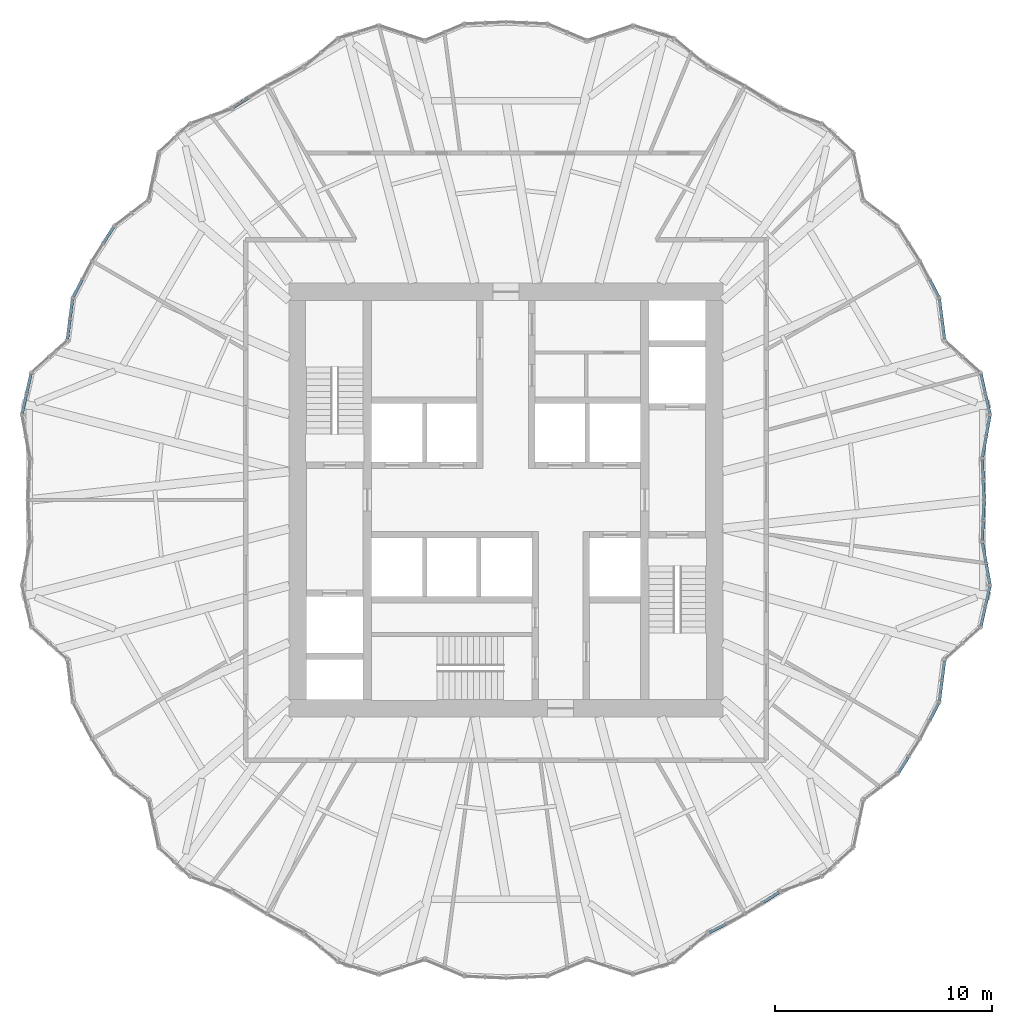
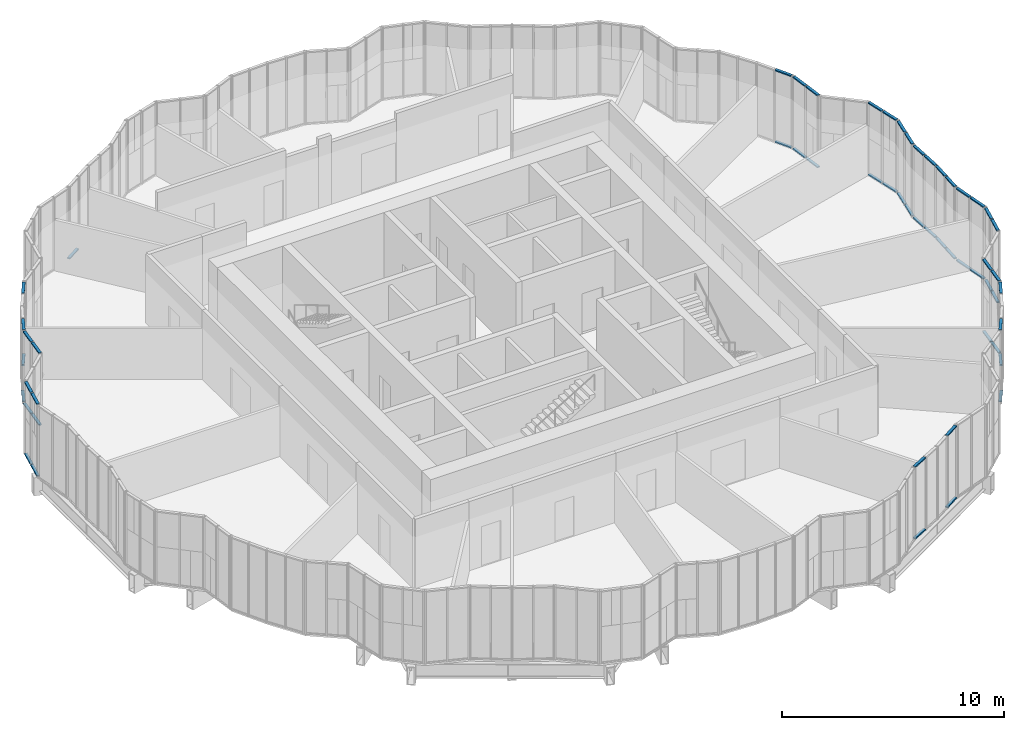
# One storey, part 11 of 23: 55 members, 18 elements without a shape of their own.
"""IFC4 building model written with IfcOpenShell, lengths in metres."""

from ifc_helpers import new_model, si_unit, direction, frame, origin, origin_2d, place, context, subcontext, project, spatial, rectangle, extrude, material, material_profile, profile_set, type_object, element, aggregate, save


model = new_model("IFC4")

# Units and contexts
model_context = context("Model", 3, precision=1e-05, world=origin(), true_north=direction((0.0, 1.0)))
body_context = subcontext(model_context, "Body", "Model", "MODEL_VIEW")
ifc_project = project(units=[si_unit("LENGTHUNIT", "METRE"), si_unit("AREAUNIT", "SQUARE_METRE"), si_unit("VOLUMEUNIT", "CUBIC_METRE"), si_unit("PLANEANGLEUNIT", "RADIAN"), si_unit("MASSUNIT", "GRAM", prefix="KILO")], contexts=[model_context])

# Site, building, storey
site_placement = place(None, origin())
site = spatial("IfcSite", under=ifc_project, at=site_placement, CompositionType="ELEMENT")
building_placement = place(site_placement, origin())
building = spatial("IfcBuilding", under=site, at=building_placement, Name="Golbaran Civic Tower", CompositionType="ELEMENT")
storey_placement = place(building_placement, frame((0.0, 0.0, 33.0)))
storey = spatial("IfcBuildingStorey", under=building, at=storey_placement, Name="L07", CompositionType="ELEMENT", Elevation=33.0)

# Curtain wall, members
ifc_material_1 = material(Name="Aluminium and glass", Category="aluminium")
curtain_wall_type = type_object("IfcCurtainWallType", Name="INNER SKIN CURTAIN WALL", PredefinedType="NOTDEFINED", material=ifc_material_1)
curtain_wall_1_placement = place(storey_placement, origin())
curtain_wall_1 = element("IfcCurtainWall", 1, at=curtain_wall_1_placement, inside=storey, type_object=curtain_wall_type, Name="Inner skin L07 facet 1 CW1", ObjectType="INNER SKIN", PredefinedType="USERDEFINED")
ifc_material_2 = material(Name="Aluminium", Category="aluminium")
ifc_material_profile = material_profile(ifc_material_2, rectangle(XDim=0.139892578125, YDim=0.06494140625, at=origin_2d()), Name="INNER SKIN CURTAIN WALL TRANSOM")
ifc_profile_set = profile_set([ifc_material_profile], Name="Aluminium")
member_type = type_object("IfcMemberType", Name="INNER SKIN CURTAIN WALL TRANSOM", PredefinedType="USERDEFINED", material=ifc_profile_set)
member_1_placement = place(storey_placement, frame((22.043701171875, 0.032470703125, 0.032470703125), z_axis=(-0.043838979607, 0.999038609798, 0.0), x_axis=(-0.999038609798, -0.043838979607, 0.0)))
member_1 = element("IfcMember", 2, at=member_1_placement, type_object=member_type, Name="CW1 transom 1.1", ObjectType="TRANSOM", PredefinedType="USERDEFINED", context=body_context, shape_type="SweptSolid", body=[
    extrude(rectangle(XDim=0.139892578125, YDim=0.06494140625, at=origin_2d()), origin(), (0.0, 0.0, 1.0), 0.896728515625),
])
member_2_placement = place(storey_placement, frame((22.043701171875, 0.032470703125, 3.967529296875), z_axis=(-0.043838979607, 0.999038609798, 0.0), x_axis=(-0.999038609798, -0.043838979607, 0.0)))
member_2 = element("IfcMember", 3, at=member_2_placement, type_object=member_type, Name="CW1 transom 1.2", ObjectType="TRANSOM", PredefinedType="USERDEFINED", context=body_context, shape_type="SweptSolid", body=[
    extrude(rectangle(XDim=0.139892578125, YDim=0.06494140625, at=origin_2d()), origin(), (0.0, 0.0, 1.0), 0.896728515625),
])
member_3_placement = place(storey_placement, frame((22.001708984375, 0.9931640625, 0.032470703125), z_axis=(-0.043792788045, 0.999040635668, 0.0), x_axis=(-0.999040635668, -0.043792788045, 0.0)))
member_3 = element("IfcMember", 4, at=member_3_placement, type_object=member_type, Name="CW1 transom 2.1", ObjectType="TRANSOM", PredefinedType="USERDEFINED", context=body_context, shape_type="SweptSolid", body=[
    extrude(rectangle(XDim=0.139892578125, YDim=0.06494140625, at=origin_2d()), origin(), (0.0, 0.0, 1.0), 0.864013671875),
])
member_4_placement = place(storey_placement, frame((22.001708984375, 0.9931640625, 3.967529296875), z_axis=(-0.043792788045, 0.999040635668, 0.0), x_axis=(-0.999040635668, -0.043792788045, 0.0)))
member_4 = element("IfcMember", 5, at=member_4_placement, type_object=member_type, Name="CW1 transom 2.2", ObjectType="TRANSOM", PredefinedType="USERDEFINED", context=body_context, shape_type="SweptSolid", body=[
    extrude(rectangle(XDim=0.139892578125, YDim=0.06494140625, at=origin_2d()), origin(), (0.0, 0.0, 1.0), 0.864013671875),
])
aggregate(curtain_wall_1, [member_1, member_2, member_3, member_4])

curtain_wall_2_placement = place(storey_placement, origin())
curtain_wall_2 = element("IfcCurtainWall", 6, at=curtain_wall_2_placement, inside=storey, type_object=curtain_wall_type, Name="Inner skin L07 facet 2 CW1", ObjectType="INNER SKIN", PredefinedType="USERDEFINED")
member_5_placement = place(storey_placement, frame((21.972412109375, 1.9853515625, 0.032470703125), z_axis=(0.175936706241, 0.984401480798, 0.0), x_axis=(-0.984401480798, 0.175936706241, 0.0)))
member_5 = element("IfcMember", 7, at=member_5_placement, type_object=member_type, Name="CW1 transom 1.1", ObjectType="TRANSOM", PredefinedType="USERDEFINED", context=body_context, shape_type="SweptSolid", body=[
    extrude(rectangle(XDim=0.139892578125, YDim=0.06494140625, at=origin_2d()), origin(), (0.0, 0.0, 1.0), 0.925537109375),
])
member_6_placement = place(storey_placement, frame((21.972412109375, 1.9853515625, 3.967529296875), z_axis=(0.175936706241, 0.984401480798, 0.0), x_axis=(-0.984401480798, 0.175936706241, 0.0)))
member_6 = element("IfcMember", 8, at=member_6_placement, type_object=member_type, Name="CW1 transom 1.2", ObjectType="TRANSOM", PredefinedType="USERDEFINED", context=body_context, shape_type="SweptSolid", body=[
    extrude(rectangle(XDim=0.139892578125, YDim=0.06494140625, at=origin_2d()), origin(), (0.0, 0.0, 1.0), 0.925537109375),
])
member_7_placement = place(storey_placement, frame((22.146484375, 2.96044921875, 0.032470703125), z_axis=(0.175891034414, 0.984409642381, 0.0), x_axis=(-0.984409642381, 0.175891034414, 0.0)))
member_7 = element("IfcMember", 9, at=member_7_placement, type_object=member_type, Name="CW1 transom 2.1", ObjectType="TRANSOM", PredefinedType="USERDEFINED", context=body_context, shape_type="SweptSolid", body=[
    extrude(rectangle(XDim=0.139892578125, YDim=0.06494140625, at=origin_2d()), origin(), (0.0, 0.0, 1.0), 0.92578125),
])
member_8_placement = place(storey_placement, frame((22.146484375, 2.96044921875, 3.967529296875), z_axis=(0.175891034414, 0.984409642381, 0.0), x_axis=(-0.984409642381, 0.175891034414, 0.0)))
member_8 = element("IfcMember", 10, at=member_8_placement, type_object=member_type, Name="CW1 transom 2.2", ObjectType="TRANSOM", PredefinedType="USERDEFINED", context=body_context, shape_type="SweptSolid", body=[
    extrude(rectangle(XDim=0.139892578125, YDim=0.06494140625, at=origin_2d()), origin(), (0.0, 0.0, 1.0), 0.92578125),
])
aggregate(curtain_wall_2, [member_5, member_6, member_7, member_8])

curtain_wall_3_placement = place(storey_placement, origin())
curtain_wall_3 = element("IfcCurtainWall", 11, at=curtain_wall_3_placement, inside=storey, type_object=curtain_wall_type, Name="Inner skin L07 facet 3 CW1", ObjectType="INNER SKIN", PredefinedType="USERDEFINED")
member_9_placement = place(storey_placement, frame((22.306640625, 3.999267578125, 0.032470703125), z_axis=(-0.216466231693, 0.976290105725, 0.0), x_axis=(-0.976290105725, -0.216466231693, 0.0)))
member_9 = element("IfcMember", 12, at=member_9_placement, type_object=member_type, Name="CW1 transom 1.1", ObjectType="TRANSOM", PredefinedType="USERDEFINED", context=body_context, shape_type="SweptSolid", body=[
    extrude(rectangle(XDim=0.139892578125, YDim=0.06494140625, at=origin_2d()), origin(), (0.0, 0.0, 1.0), 0.89111328125),
])
member_10_placement = place(storey_placement, frame((22.306640625, 3.999267578125, 3.967529296875), z_axis=(-0.216466231693, 0.976290105725, 0.0), x_axis=(-0.976290105725, -0.216466231693, 0.0)))
member_10 = element("IfcMember", 13, at=member_10_placement, type_object=member_type, Name="CW1 transom 1.2", ObjectType="TRANSOM", PredefinedType="USERDEFINED", context=body_context, shape_type="SweptSolid", body=[
    extrude(rectangle(XDim=0.139892578125, YDim=0.06494140625, at=origin_2d()), origin(), (0.0, 0.0, 1.0), 0.89111328125),
])
member_11_placement = place(storey_placement, frame((22.099609375, 4.9326171875, 0.032470703125), z_axis=(-0.21640833966, 0.976302939935, 0.0), x_axis=(-0.976302939935, -0.21640833966, 0.0)))
member_11 = element("IfcMember", 14, at=member_11_placement, type_object=member_type, Name="CW1 transom 2.1", ObjectType="TRANSOM", PredefinedType="USERDEFINED", context=body_context, shape_type="SweptSolid", body=[
    extrude(rectangle(XDim=0.139892578125, YDim=0.06494140625, at=origin_2d()), origin(), (0.0, 0.0, 1.0), 0.891357421875),
])
member_12_placement = place(storey_placement, frame((22.099609375, 4.9326171875, 3.967529296875), z_axis=(-0.21640833966, 0.976302939935, 0.0), x_axis=(-0.976302939935, -0.21640833966, 0.0)))
member_12 = element("IfcMember", 15, at=member_12_placement, type_object=member_type, Name="CW1 transom 2.2", ObjectType="TRANSOM", PredefinedType="USERDEFINED", context=body_context, shape_type="SweptSolid", body=[
    extrude(rectangle(XDim=0.139892578125, YDim=0.06494140625, at=origin_2d()), origin(), (0.0, 0.0, 1.0), 0.891357421875),
])
aggregate(curtain_wall_3, [member_9, member_10, member_11, member_12])

curtain_wall_4_placement = place(storey_placement, origin())
curtain_wall_4 = element("IfcCurtainWall", 16, at=curtain_wall_4_placement, inside=storey, type_object=curtain_wall_type, Name="Inner skin L07 facet 5 CW1", ObjectType="INNER SKIN", PredefinedType="USERDEFINED")
member_13_placement = place(storey_placement, frame((20.2197265625, 7.4267578125, 0.032470703125), z_axis=(-0.126269045709, 0.991996032298, 0.0), x_axis=(-0.991996032298, -0.126269045709, 0.0)))
member_13 = element("IfcMember", 17, at=member_13_placement, type_object=member_type, Name="CW1 transom 1.1", ObjectType="TRANSOM", PredefinedType="USERDEFINED", context=body_context, shape_type="SweptSolid", body=[
    extrude(rectangle(XDim=0.139892578125, YDim=0.06494140625, at=origin_2d()), origin(), (0.0, 0.0, 1.0), 0.887451171875),
])
member_14_placement = place(storey_placement, frame((20.2197265625, 7.4267578125, 3.967529296875), z_axis=(-0.126269045709, 0.991996032298, 0.0), x_axis=(-0.991996032298, -0.126269045709, 0.0)))
member_14 = element("IfcMember", 18, at=member_14_placement, type_object=member_type, Name="CW1 transom 1.2", ObjectType="TRANSOM", PredefinedType="USERDEFINED", context=body_context, shape_type="SweptSolid", body=[
    extrude(rectangle(XDim=0.139892578125, YDim=0.06494140625, at=origin_2d()), origin(), (0.0, 0.0, 1.0), 0.887451171875),
])
member_15_placement = place(storey_placement, frame((20.099609375, 8.371826171875, 0.032470703125), z_axis=(-0.125998321747, 0.992030454632, 0.0), x_axis=(-0.992030454632, -0.125998321747, 0.0)))
member_15 = element("IfcMember", 19, at=member_15_placement, type_object=member_type, Name="CW1 transom 2.1", ObjectType="TRANSOM", PredefinedType="USERDEFINED", context=body_context, shape_type="SweptSolid", body=[
    extrude(rectangle(XDim=0.139892578125, YDim=0.06494140625, at=origin_2d()), origin(), (0.0, 0.0, 1.0), 0.887451171875),
])
member_16_placement = place(storey_placement, frame((20.099609375, 8.371826171875, 3.967529296875), z_axis=(-0.125998321747, 0.992030454632, 0.0), x_axis=(-0.992030454632, -0.125998321747, 0.0)))
member_16 = element("IfcMember", 20, at=member_16_placement, type_object=member_type, Name="CW1 transom 2.2", ObjectType="TRANSOM", PredefinedType="USERDEFINED", context=body_context, shape_type="SweptSolid", body=[
    extrude(rectangle(XDim=0.139892578125, YDim=0.06494140625, at=origin_2d()), origin(), (0.0, 0.0, 1.0), 0.887451171875),
])
aggregate(curtain_wall_4, [member_13, member_14, member_15, member_16])

curtain_wall_5_placement = place(storey_placement, origin())
curtain_wall_5 = element("IfcCurtainWall", 21, at=curtain_wall_5_placement, inside=storey, type_object=curtain_wall_type, Name="Inner skin L07 facet 6 CW1", ObjectType="INNER SKIN", PredefinedType="USERDEFINED")
member_17_placement = place(storey_placement, frame((19.949462890625, 9.374267578125, 0.032470703125), z_axis=(-0.461735279655, 0.887017774073, 0.0), x_axis=(-0.887017774073, -0.461735279655, 0.0)))
member_17 = element("IfcMember", 22, at=member_17_placement, type_object=member_type, Name="CW1 transom 1.1", ObjectType="TRANSOM", PredefinedType="USERDEFINED", context=body_context, shape_type="SweptSolid", body=[
    extrude(rectangle(XDim=0.139892578125, YDim=0.06494140625, at=origin_2d()), origin(), (0.0, 0.0, 1.0), 0.864013671875),
])
member_18_placement = place(storey_placement, frame((19.949462890625, 9.374267578125, 3.967529296875), z_axis=(-0.461735279655, 0.887017774073, 0.0), x_axis=(-0.887017774073, -0.461735279655, 0.0)))
member_18 = element("IfcMember", 23, at=member_18_placement, type_object=member_type, Name="CW1 transom 1.2", ObjectType="TRANSOM", PredefinedType="USERDEFINED", context=body_context, shape_type="SweptSolid", body=[
    extrude(rectangle(XDim=0.139892578125, YDim=0.06494140625, at=origin_2d()), origin(), (0.0, 0.0, 1.0), 0.864013671875),
])
aggregate(curtain_wall_5, [member_17, member_18])

# Curtain wall, member
curtain_wall_6_placement = place(storey_placement, origin())
curtain_wall_6 = element("IfcCurtainWall", 24, at=curtain_wall_6_placement, inside=storey, type_object=curtain_wall_type, Name="Inner skin L07 facet 25 CW1", ObjectType="INNER SKIN", PredefinedType="USERDEFINED")
member_19_placement = place(storey_placement, frame((-11.86083984375, 18.557373046875, 0.032470703125), z_axis=(-0.843347238251, -0.537368994021, 0.0), x_axis=(0.537368994021, -0.843347238251, 0.0)))
member_19 = element("IfcMember", 25, at=member_19_placement, type_object=member_type, Name="CW1 transom 2.1", ObjectType="TRANSOM", PredefinedType="USERDEFINED", context=body_context, shape_type="SweptSolid", body=[
    extrude(rectangle(XDim=0.139892578125, YDim=0.06494140625, at=origin_2d()), origin(), (0.0, 0.0, 1.0), 0.864013671875),
])
aggregate(curtain_wall_6, [member_19])

# Curtain wall, members
curtain_wall_7_placement = place(storey_placement, origin())
curtain_wall_7 = element("IfcCurtainWall", 26, at=curtain_wall_7_placement, inside=storey, type_object=curtain_wall_type, Name="Inner skin L07 facet 30 CW1", ObjectType="INNER SKIN", PredefinedType="USERDEFINED")
member_20_placement = place(storey_placement, frame((-18.093017578125, 12.589599609375, 0.032470703125), z_axis=(-0.537368994021, -0.843347238251, 0.0), x_axis=(0.843347238251, -0.537368994021, 0.0)))
member_20 = element("IfcMember", 27, at=member_20_placement, type_object=member_type, Name="CW1 transom 1.1", ObjectType="TRANSOM", PredefinedType="USERDEFINED", context=body_context, shape_type="SweptSolid", body=[
    extrude(rectangle(XDim=0.139892578125, YDim=0.06494140625, at=origin_2d()), origin(), (0.0, 0.0, 1.0), 0.864013671875),
])
member_21_placement = place(storey_placement, frame((-18.093017578125, 12.589599609375, 3.967529296875), z_axis=(-0.537368994021, -0.843347238251, 0.0), x_axis=(0.843347238251, -0.537368994021, 0.0)))
member_21 = element("IfcMember", 28, at=member_21_placement, type_object=member_type, Name="CW1 transom 1.2", ObjectType="TRANSOM", PredefinedType="USERDEFINED", context=body_context, shape_type="SweptSolid", body=[
    extrude(rectangle(XDim=0.139892578125, YDim=0.06494140625, at=origin_2d()), origin(), (0.0, 0.0, 1.0), 0.864013671875),
])
aggregate(curtain_wall_7, [member_20, member_21])

curtain_wall_8_placement = place(storey_placement, origin())
curtain_wall_8 = element("IfcCurtainWall", 29, at=curtain_wall_8_placement, inside=storey, type_object=curtain_wall_type, Name="Inner skin L07 facet 31 CW1", ObjectType="INNER SKIN", PredefinedType="USERDEFINED")
member_22_placement = place(storey_placement, frame((-19.550537109375, 10.140625, 0.032470703125), z_axis=(-0.461735279655, -0.887017774073, 0.0), x_axis=(0.887017774073, -0.461735279655, 0.0)))
member_22 = element("IfcMember", 30, at=member_22_placement, type_object=member_type, Name="CW1 transom 2.1", ObjectType="TRANSOM", PredefinedType="USERDEFINED", context=body_context, shape_type="SweptSolid", body=[
    extrude(rectangle(XDim=0.139892578125, YDim=0.06494140625, at=origin_2d()), origin(), (0.0, 0.0, 1.0), 0.864013671875),
])
member_23_placement = place(storey_placement, frame((-19.550537109375, 10.140625, 3.967529296875), z_axis=(-0.461735279655, -0.887017774073, 0.0), x_axis=(0.887017774073, -0.461735279655, 0.0)))
member_23 = element("IfcMember", 31, at=member_23_placement, type_object=member_type, Name="CW1 transom 2.2", ObjectType="TRANSOM", PredefinedType="USERDEFINED", context=body_context, shape_type="SweptSolid", body=[
    extrude(rectangle(XDim=0.139892578125, YDim=0.06494140625, at=origin_2d()), origin(), (0.0, 0.0, 1.0), 0.864013671875),
])
aggregate(curtain_wall_8, [member_22, member_23])

curtain_wall_9_placement = place(storey_placement, origin())
curtain_wall_9 = element("IfcCurtainWall", 32, at=curtain_wall_9_placement, inside=storey, type_object=curtain_wall_type, Name="Inner skin L07 facet 32 CW1", ObjectType="INNER SKIN", PredefinedType="USERDEFINED")
member_24_placement = place(storey_placement, frame((-19.98779296875, 9.252197265625, 0.032470703125), z_axis=(-0.125998321747, -0.992030454632, 0.0), x_axis=(0.992030454632, -0.125998321747, 0.0)))
member_24 = element("IfcMember", 33, at=member_24_placement, type_object=member_type, Name="CW1 transom 1.1", ObjectType="TRANSOM", PredefinedType="USERDEFINED", context=body_context, shape_type="SweptSolid", body=[
    extrude(rectangle(XDim=0.139892578125, YDim=0.06494140625, at=origin_2d()), origin(), (0.0, 0.0, 1.0), 0.887451171875),
])
member_25_placement = place(storey_placement, frame((-19.98779296875, 9.252197265625, 3.967529296875), z_axis=(-0.125998321747, -0.992030454632, 0.0), x_axis=(0.992030454632, -0.125998321747, 0.0)))
member_25 = element("IfcMember", 34, at=member_25_placement, type_object=member_type, Name="CW1 transom 1.2", ObjectType="TRANSOM", PredefinedType="USERDEFINED", context=body_context, shape_type="SweptSolid", body=[
    extrude(rectangle(XDim=0.139892578125, YDim=0.06494140625, at=origin_2d()), origin(), (0.0, 0.0, 1.0), 0.887451171875),
])
member_26_placement = place(storey_placement, frame((-20.107666015625, 8.30712890625, 0.032470703125), z_axis=(-0.126269045709, -0.991996032298, 0.0), x_axis=(0.991996032298, -0.126269045709, 0.0)))
member_26 = element("IfcMember", 35, at=member_26_placement, type_object=member_type, Name="CW1 transom 2.1", ObjectType="TRANSOM", PredefinedType="USERDEFINED", context=body_context, shape_type="SweptSolid", body=[
    extrude(rectangle(XDim=0.139892578125, YDim=0.06494140625, at=origin_2d()), origin(), (0.0, 0.0, 1.0), 0.887451171875),
])
member_27_placement = place(storey_placement, frame((-20.107666015625, 8.30712890625, 3.967529296875), z_axis=(-0.126269045709, -0.991996032298, 0.0), x_axis=(0.991996032298, -0.126269045709, 0.0)))
member_27 = element("IfcMember", 36, at=member_27_placement, type_object=member_type, Name="CW1 transom 2.2", ObjectType="TRANSOM", PredefinedType="USERDEFINED", context=body_context, shape_type="SweptSolid", body=[
    extrude(rectangle(XDim=0.139892578125, YDim=0.06494140625, at=origin_2d()), origin(), (0.0, 0.0, 1.0), 0.887451171875),
])
aggregate(curtain_wall_9, [member_24, member_25, member_26, member_27])

curtain_wall_10_placement = place(storey_placement, origin())
curtain_wall_10 = element("IfcCurtainWall", 37, at=curtain_wall_10_placement, inside=storey, type_object=curtain_wall_type, Name="Inner skin L07 facet 34 CW1", ObjectType="INNER SKIN", PredefinedType="USERDEFINED")
member_28_placement = place(storey_placement, frame((-21.90673828125, 5.802734375, 0.032470703125), z_axis=(-0.21640833966, -0.976302939935, 0.0), x_axis=(0.976302939935, -0.21640833966, 0.0)))
member_28 = element("IfcMember", 38, at=member_28_placement, type_object=member_type, Name="CW1 transom 1.1", ObjectType="TRANSOM", PredefinedType="USERDEFINED", context=body_context, shape_type="SweptSolid", body=[
    extrude(rectangle(XDim=0.139892578125, YDim=0.06494140625, at=origin_2d()), origin(), (0.0, 0.0, 1.0), 0.891357421875),
])
member_29_placement = place(storey_placement, frame((-21.90673828125, 5.802734375, 3.967529296875), z_axis=(-0.21640833966, -0.976302939935, 0.0), x_axis=(0.976302939935, -0.21640833966, 0.0)))
member_29 = element("IfcMember", 39, at=member_29_placement, type_object=member_type, Name="CW1 transom 1.2", ObjectType="TRANSOM", PredefinedType="USERDEFINED", context=body_context, shape_type="SweptSolid", body=[
    extrude(rectangle(XDim=0.139892578125, YDim=0.06494140625, at=origin_2d()), origin(), (0.0, 0.0, 1.0), 0.891357421875),
])
member_30_placement = place(storey_placement, frame((-22.11376953125, 4.869140625, 0.032470703125), z_axis=(-0.216466231693, -0.976290105725, 0.0), x_axis=(0.976290105725, -0.216466231693, 0.0)))
member_30 = element("IfcMember", 40, at=member_30_placement, type_object=member_type, Name="CW1 transom 2.1", ObjectType="TRANSOM", PredefinedType="USERDEFINED", context=body_context, shape_type="SweptSolid", body=[
    extrude(rectangle(XDim=0.139892578125, YDim=0.06494140625, at=origin_2d()), origin(), (0.0, 0.0, 1.0), 0.89111328125),
])
member_31_placement = place(storey_placement, frame((-22.11376953125, 4.869140625, 3.967529296875), z_axis=(-0.216466231693, -0.976290105725, 0.0), x_axis=(0.976290105725, -0.216466231693, 0.0)))
member_31 = element("IfcMember", 41, at=member_31_placement, type_object=member_type, Name="CW1 transom 2.2", ObjectType="TRANSOM", PredefinedType="USERDEFINED", context=body_context, shape_type="SweptSolid", body=[
    extrude(rectangle(XDim=0.139892578125, YDim=0.06494140625, at=origin_2d()), origin(), (0.0, 0.0, 1.0), 0.89111328125),
])
aggregate(curtain_wall_10, [member_28, member_29, member_30, member_31])

curtain_wall_11_placement = place(storey_placement, origin())
curtain_wall_11 = element("IfcCurtainWall", 42, at=curtain_wall_11_placement, inside=storey, type_object=curtain_wall_type, Name="Inner skin L07 facet 60 CW1", ObjectType="INNER SKIN", PredefinedType="USERDEFINED")
member_32_placement = place(storey_placement, frame((9.374267578125, -19.949462890625, 0.032470703125), z_axis=(0.887017774073, 0.461735279655, 0.0), x_axis=(-0.461735279655, 0.887017774073, 0.0)))
member_32 = element("IfcMember", 43, at=member_32_placement, type_object=member_type, Name="CW1 transom 1.1", ObjectType="TRANSOM", PredefinedType="USERDEFINED", context=body_context, shape_type="SweptSolid", body=[
    extrude(rectangle(XDim=0.139892578125, YDim=0.06494140625, at=origin_2d()), origin(), (0.0, 0.0, 1.0), 0.864013671875),
])
member_33_placement = place(storey_placement, frame((9.374267578125, -19.949462890625, 3.967529296875), z_axis=(0.887017774073, 0.461735279655, 0.0), x_axis=(-0.461735279655, 0.887017774073, 0.0)))
member_33 = element("IfcMember", 44, at=member_33_placement, type_object=member_type, Name="CW1 transom 1.2", ObjectType="TRANSOM", PredefinedType="USERDEFINED", context=body_context, shape_type="SweptSolid", body=[
    extrude(rectangle(XDim=0.139892578125, YDim=0.06494140625, at=origin_2d()), origin(), (0.0, 0.0, 1.0), 0.864013671875),
])
aggregate(curtain_wall_11, [member_32, member_33])

curtain_wall_12_placement = place(storey_placement, origin())
curtain_wall_12 = element("IfcCurtainWall", 45, at=curtain_wall_12_placement, inside=storey, type_object=curtain_wall_type, Name="Inner skin L07 facet 61 CW1", ObjectType="INNER SKIN", PredefinedType="USERDEFINED")
member_34_placement = place(storey_placement, frame((11.86083984375, -18.557373046875, 0.032470703125), z_axis=(0.843347238251, 0.537368994021, 0.0), x_axis=(-0.537368994021, 0.843347238251, 0.0)))
member_34 = element("IfcMember", 46, at=member_34_placement, type_object=member_type, Name="CW1 transom 2.1", ObjectType="TRANSOM", PredefinedType="USERDEFINED", context=body_context, shape_type="SweptSolid", body=[
    extrude(rectangle(XDim=0.139892578125, YDim=0.06494140625, at=origin_2d()), origin(), (0.0, 0.0, 1.0), 0.864013671875),
])
member_35_placement = place(storey_placement, frame((11.86083984375, -18.557373046875, 3.967529296875), z_axis=(0.843347238251, 0.537368994021, 0.0), x_axis=(-0.537368994021, 0.843347238251, 0.0)))
member_35 = element("IfcMember", 47, at=member_35_placement, type_object=member_type, Name="CW1 transom 2.2", ObjectType="TRANSOM", PredefinedType="USERDEFINED", context=body_context, shape_type="SweptSolid", body=[
    extrude(rectangle(XDim=0.139892578125, YDim=0.06494140625, at=origin_2d()), origin(), (0.0, 0.0, 1.0), 0.864013671875),
])
aggregate(curtain_wall_12, [member_34, member_35])

curtain_wall_13_placement = place(storey_placement, origin())
curtain_wall_13 = element("IfcCurtainWall", 48, at=curtain_wall_13_placement, inside=storey, type_object=curtain_wall_type, Name="Inner skin L07 facet 66 CW1", ObjectType="INNER SKIN", PredefinedType="USERDEFINED")
member_36_placement = place(storey_placement, frame((18.093017578125, -12.589599609375, 0.032470703125), z_axis=(0.537368994021, 0.843347238251, 0.0), x_axis=(-0.843347238251, 0.537368994021, 0.0)))
member_36 = element("IfcMember", 49, at=member_36_placement, type_object=member_type, Name="CW1 transom 1.1", ObjectType="TRANSOM", PredefinedType="USERDEFINED", context=body_context, shape_type="SweptSolid", body=[
    extrude(rectangle(XDim=0.139892578125, YDim=0.06494140625, at=origin_2d()), origin(), (0.0, 0.0, 1.0), 0.864013671875),
])
member_37_placement = place(storey_placement, frame((18.093017578125, -12.589599609375, 3.967529296875), z_axis=(0.537368994021, 0.843347238251, 0.0), x_axis=(-0.843347238251, 0.537368994021, 0.0)))
member_37 = element("IfcMember", 50, at=member_37_placement, type_object=member_type, Name="CW1 transom 1.2", ObjectType="TRANSOM", PredefinedType="USERDEFINED", context=body_context, shape_type="SweptSolid", body=[
    extrude(rectangle(XDim=0.139892578125, YDim=0.06494140625, at=origin_2d()), origin(), (0.0, 0.0, 1.0), 0.864013671875),
])
aggregate(curtain_wall_13, [member_36, member_37])

curtain_wall_14_placement = place(storey_placement, origin())
curtain_wall_14 = element("IfcCurtainWall", 51, at=curtain_wall_14_placement, inside=storey, type_object=curtain_wall_type, Name="Inner skin L07 facet 67 CW1", ObjectType="INNER SKIN", PredefinedType="USERDEFINED")
member_38_placement = place(storey_placement, frame((19.550537109375, -10.140625, 0.032470703125), z_axis=(0.461735279655, 0.887017774073, 0.0), x_axis=(-0.887017774073, 0.461735279655, 0.0)))
member_38 = element("IfcMember", 52, at=member_38_placement, type_object=member_type, Name="CW1 transom 2.1", ObjectType="TRANSOM", PredefinedType="USERDEFINED", context=body_context, shape_type="SweptSolid", body=[
    extrude(rectangle(XDim=0.139892578125, YDim=0.06494140625, at=origin_2d()), origin(), (0.0, 0.0, 1.0), 0.864013671875),
])
member_39_placement = place(storey_placement, frame((19.550537109375, -10.140625, 3.967529296875), z_axis=(0.461735279655, 0.887017774073, 0.0), x_axis=(-0.887017774073, 0.461735279655, 0.0)))
member_39 = element("IfcMember", 53, at=member_39_placement, type_object=member_type, Name="CW1 transom 2.2", ObjectType="TRANSOM", PredefinedType="USERDEFINED", context=body_context, shape_type="SweptSolid", body=[
    extrude(rectangle(XDim=0.139892578125, YDim=0.06494140625, at=origin_2d()), origin(), (0.0, 0.0, 1.0), 0.864013671875),
])
aggregate(curtain_wall_14, [member_38, member_39])

curtain_wall_15_placement = place(storey_placement, origin())
curtain_wall_15 = element("IfcCurtainWall", 54, at=curtain_wall_15_placement, inside=storey, type_object=curtain_wall_type, Name="Inner skin L07 facet 68 CW1", ObjectType="INNER SKIN", PredefinedType="USERDEFINED")
member_40_placement = place(storey_placement, frame((19.98779296875, -9.252197265625, 0.032470703125), z_axis=(0.125998321747, 0.992030454632, 0.0), x_axis=(-0.992030454632, 0.125998321747, 0.0)))
member_40 = element("IfcMember", 55, at=member_40_placement, type_object=member_type, Name="CW1 transom 1.1", ObjectType="TRANSOM", PredefinedType="USERDEFINED", context=body_context, shape_type="SweptSolid", body=[
    extrude(rectangle(XDim=0.139892578125, YDim=0.06494140625, at=origin_2d()), origin(), (0.0, 0.0, 1.0), 0.887451171875),
])
member_41_placement = place(storey_placement, frame((19.98779296875, -9.252197265625, 3.967529296875), z_axis=(0.125998321747, 0.992030454632, 0.0), x_axis=(-0.992030454632, 0.125998321747, 0.0)))
member_41 = element("IfcMember", 56, at=member_41_placement, type_object=member_type, Name="CW1 transom 1.2", ObjectType="TRANSOM", PredefinedType="USERDEFINED", context=body_context, shape_type="SweptSolid", body=[
    extrude(rectangle(XDim=0.139892578125, YDim=0.06494140625, at=origin_2d()), origin(), (0.0, 0.0, 1.0), 0.887451171875),
])
member_42_placement = place(storey_placement, frame((20.107666015625, -8.30712890625, 0.032470703125), z_axis=(0.126269045709, 0.991996032298, 0.0), x_axis=(-0.991996032298, 0.126269045709, 0.0)))
member_42 = element("IfcMember", 57, at=member_42_placement, type_object=member_type, Name="CW1 transom 2.1", ObjectType="TRANSOM", PredefinedType="USERDEFINED", context=body_context, shape_type="SweptSolid", body=[
    extrude(rectangle(XDim=0.139892578125, YDim=0.06494140625, at=origin_2d()), origin(), (0.0, 0.0, 1.0), 0.887451171875),
])
member_43_placement = place(storey_placement, frame((20.107666015625, -8.30712890625, 3.967529296875), z_axis=(0.126269045709, 0.991996032298, 0.0), x_axis=(-0.991996032298, 0.126269045709, 0.0)))
member_43 = element("IfcMember", 58, at=member_43_placement, type_object=member_type, Name="CW1 transom 2.2", ObjectType="TRANSOM", PredefinedType="USERDEFINED", context=body_context, shape_type="SweptSolid", body=[
    extrude(rectangle(XDim=0.139892578125, YDim=0.06494140625, at=origin_2d()), origin(), (0.0, 0.0, 1.0), 0.887451171875),
])
aggregate(curtain_wall_15, [member_40, member_41, member_42, member_43])

curtain_wall_16_placement = place(storey_placement, origin())
curtain_wall_16 = element("IfcCurtainWall", 59, at=curtain_wall_16_placement, inside=storey, type_object=curtain_wall_type, Name="Inner skin L07 facet 70 CW1", ObjectType="INNER SKIN", PredefinedType="USERDEFINED")
member_44_placement = place(storey_placement, frame((21.90673828125, -5.802734375, 0.032470703125), z_axis=(0.21640833966, 0.976302939935, 0.0), x_axis=(-0.976302939935, 0.21640833966, 0.0)))
member_44 = element("IfcMember", 60, at=member_44_placement, type_object=member_type, Name="CW1 transom 1.1", ObjectType="TRANSOM", PredefinedType="USERDEFINED", context=body_context, shape_type="SweptSolid", body=[
    extrude(rectangle(XDim=0.139892578125, YDim=0.06494140625, at=origin_2d()), origin(), (0.0, 0.0, 1.0), 0.891357421875),
])
member_45_placement = place(storey_placement, frame((21.90673828125, -5.802734375, 3.967529296875), z_axis=(0.21640833966, 0.976302939935, 0.0), x_axis=(-0.976302939935, 0.21640833966, 0.0)))
member_45 = element("IfcMember", 61, at=member_45_placement, type_object=member_type, Name="CW1 transom 1.2", ObjectType="TRANSOM", PredefinedType="USERDEFINED", context=body_context, shape_type="SweptSolid", body=[
    extrude(rectangle(XDim=0.139892578125, YDim=0.06494140625, at=origin_2d()), origin(), (0.0, 0.0, 1.0), 0.891357421875),
])
member_46_placement = place(storey_placement, frame((22.11376953125, -4.869140625, 0.032470703125), z_axis=(0.216466231693, 0.976290105725, 0.0), x_axis=(-0.976290105725, 0.216466231693, 0.0)))
member_46 = element("IfcMember", 62, at=member_46_placement, type_object=member_type, Name="CW1 transom 2.1", ObjectType="TRANSOM", PredefinedType="USERDEFINED", context=body_context, shape_type="SweptSolid", body=[
    extrude(rectangle(XDim=0.139892578125, YDim=0.06494140625, at=origin_2d()), origin(), (0.0, 0.0, 1.0), 0.89111328125),
])
member_47_placement = place(storey_placement, frame((22.11376953125, -4.869140625, 3.967529296875), z_axis=(0.216466231693, 0.976290105725, 0.0), x_axis=(-0.976290105725, 0.216466231693, 0.0)))
member_47 = element("IfcMember", 63, at=member_47_placement, type_object=member_type, Name="CW1 transom 2.2", ObjectType="TRANSOM", PredefinedType="USERDEFINED", context=body_context, shape_type="SweptSolid", body=[
    extrude(rectangle(XDim=0.139892578125, YDim=0.06494140625, at=origin_2d()), origin(), (0.0, 0.0, 1.0), 0.89111328125),
])
aggregate(curtain_wall_16, [member_44, member_45, member_46, member_47])

curtain_wall_17_placement = place(storey_placement, origin())
curtain_wall_17 = element("IfcCurtainWall", 64, at=curtain_wall_17_placement, inside=storey, type_object=curtain_wall_type, Name="Inner skin L07 facet 71 CW1", ObjectType="INNER SKIN", PredefinedType="USERDEFINED")
member_48_placement = place(storey_placement, frame((22.309326171875, -3.871826171875, 0.032470703125), z_axis=(-0.175891034414, 0.984409642381, 0.0), x_axis=(-0.984409642381, -0.175891034414, 0.0)))
member_48 = element("IfcMember", 65, at=member_48_placement, type_object=member_type, Name="CW1 transom 1.1", ObjectType="TRANSOM", PredefinedType="USERDEFINED", context=body_context, shape_type="SweptSolid", body=[
    extrude(rectangle(XDim=0.139892578125, YDim=0.06494140625, at=origin_2d()), origin(), (0.0, 0.0, 1.0), 0.92578125),
])
member_49_placement = place(storey_placement, frame((22.309326171875, -3.871826171875, 3.967529296875), z_axis=(-0.175891034414, 0.984409642381, 0.0), x_axis=(-0.984409642381, -0.175891034414, 0.0)))
member_49 = element("IfcMember", 66, at=member_49_placement, type_object=member_type, Name="CW1 transom 1.2", ObjectType="TRANSOM", PredefinedType="USERDEFINED", context=body_context, shape_type="SweptSolid", body=[
    extrude(rectangle(XDim=0.139892578125, YDim=0.06494140625, at=origin_2d()), origin(), (0.0, 0.0, 1.0), 0.92578125),
])
member_50_placement = place(storey_placement, frame((22.13525390625, -2.896484375, 0.032470703125), z_axis=(-0.175936706241, 0.984401480798, 0.0), x_axis=(-0.984401480798, -0.175936706241, 0.0)))
member_50 = element("IfcMember", 67, at=member_50_placement, type_object=member_type, Name="CW1 transom 2.1", ObjectType="TRANSOM", PredefinedType="USERDEFINED", context=body_context, shape_type="SweptSolid", body=[
    extrude(rectangle(XDim=0.139892578125, YDim=0.06494140625, at=origin_2d()), origin(), (0.0, 0.0, 1.0), 0.925537109375),
])
member_51_placement = place(storey_placement, frame((22.13525390625, -2.896484375, 3.967529296875), z_axis=(-0.175936706241, 0.984401480798, 0.0), x_axis=(-0.984401480798, -0.175936706241, 0.0)))
member_51 = element("IfcMember", 68, at=member_51_placement, type_object=member_type, Name="CW1 transom 2.2", ObjectType="TRANSOM", PredefinedType="USERDEFINED", context=body_context, shape_type="SweptSolid", body=[
    extrude(rectangle(XDim=0.139892578125, YDim=0.06494140625, at=origin_2d()), origin(), (0.0, 0.0, 1.0), 0.925537109375),
])
aggregate(curtain_wall_17, [member_48, member_49, member_50, member_51])

curtain_wall_18_placement = place(storey_placement, origin())
curtain_wall_18 = element("IfcCurtainWall", 69, at=curtain_wall_18_placement, inside=storey, type_object=curtain_wall_type, Name="Inner skin L07 facet 72 CW1", ObjectType="INNER SKIN", PredefinedType="USERDEFINED")
member_52_placement = place(storey_placement, frame((21.9638671875, -1.8564453125, 0.032470703125), z_axis=(0.043792788045, 0.999040635668, 0.0), x_axis=(-0.999040635668, 0.043792788045, 0.0)))
member_52 = element("IfcMember", 70, at=member_52_placement, type_object=member_type, Name="CW1 transom 1.1", ObjectType="TRANSOM", PredefinedType="USERDEFINED", context=body_context, shape_type="SweptSolid", body=[
    extrude(rectangle(XDim=0.139892578125, YDim=0.06494140625, at=origin_2d()), origin(), (0.0, 0.0, 1.0), 0.864013671875),
])
member_53_placement = place(storey_placement, frame((21.9638671875, -1.8564453125, 3.967529296875), z_axis=(0.043792788045, 0.999040635668, 0.0), x_axis=(-0.999040635668, 0.043792788045, 0.0)))
member_53 = element("IfcMember", 71, at=member_53_placement, type_object=member_type, Name="CW1 transom 1.2", ObjectType="TRANSOM", PredefinedType="USERDEFINED", context=body_context, shape_type="SweptSolid", body=[
    extrude(rectangle(XDim=0.139892578125, YDim=0.06494140625, at=origin_2d()), origin(), (0.0, 0.0, 1.0), 0.864013671875),
])
member_54_placement = place(storey_placement, frame((22.00439453125, -0.92822265625, 0.032470703125), z_axis=(0.043838979607, 0.999038609798, 0.0), x_axis=(-0.999038609798, 0.043838979607, 0.0)))
member_54 = element("IfcMember", 72, at=member_54_placement, type_object=member_type, Name="CW1 transom 2.1", ObjectType="TRANSOM", PredefinedType="USERDEFINED", context=body_context, shape_type="SweptSolid", body=[
    extrude(rectangle(XDim=0.139892578125, YDim=0.06494140625, at=origin_2d()), origin(), (0.0, 0.0, 1.0), 0.896728515625),
])
member_55_placement = place(storey_placement, frame((22.00439453125, -0.92822265625, 3.967529296875), z_axis=(0.043838979607, 0.999038609798, 0.0), x_axis=(-0.999038609798, 0.043838979607, 0.0)))
member_55 = element("IfcMember", 73, at=member_55_placement, type_object=member_type, Name="CW1 transom 2.2", ObjectType="TRANSOM", PredefinedType="USERDEFINED", context=body_context, shape_type="SweptSolid", body=[
    extrude(rectangle(XDim=0.139892578125, YDim=0.06494140625, at=origin_2d()), origin(), (0.0, 0.0, 1.0), 0.896728515625),
])
aggregate(curtain_wall_18, [member_52, member_53, member_54, member_55])

save(model, "model.ifc")
